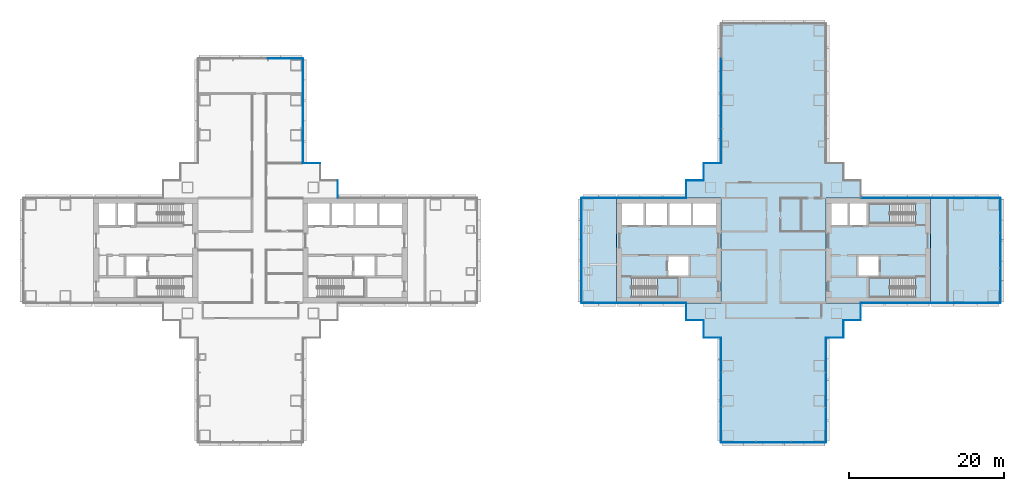
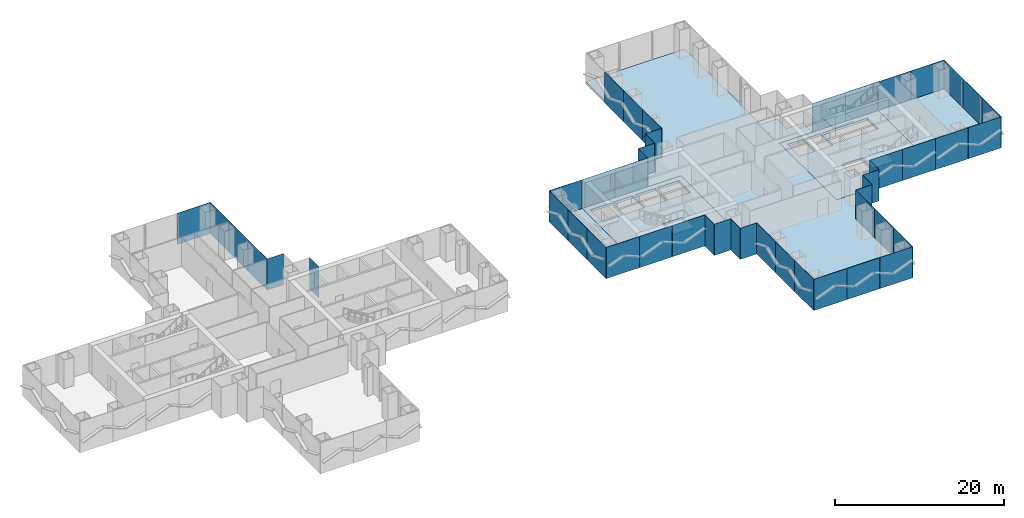
# One storey, part 12 of 22: 50 plates, 8 slabs, 23 elements without a shape of their own.
"""IFC4 building model written with IfcOpenShell, lengths in metres."""

from ifc_helpers import new_model, si_unit, direction, frame, origin, origin_2d, place, context, subcontext, project, spatial, polyline, rectangle, outline, extrude, material, layer, layer_set, type_object, element, aggregate, save


model = new_model("IFC4")

# Units and contexts
model_context = context("Model", 3, precision=1e-05, world=origin(), true_north=direction((0.0, 1.0)))
body_context = subcontext(model_context, "Body", "Model", "MODEL_VIEW")
ifc_project = project(units=[si_unit("LENGTHUNIT", "METRE"), si_unit("AREAUNIT", "SQUARE_METRE"), si_unit("VOLUMEUNIT", "CUBIC_METRE"), si_unit("PLANEANGLEUNIT", "RADIAN"), si_unit("MASSUNIT", "GRAM", prefix="KILO")], contexts=[model_context])

# Site, building, storey
site_placement = place(None, origin())
site = spatial("IfcSite", under=ifc_project, at=site_placement, CompositionType="ELEMENT")
building_placement = place(site_placement, origin())
building = spatial("IfcBuilding", under=site, at=building_placement, Name="Shamsa Quay Exchange Towers", CompositionType="ELEMENT")
storey_placement = place(building_placement, frame((0.0, 0.0, 33.0)))
storey = spatial("IfcBuildingStorey", under=building, at=storey_placement, Name="L06", CompositionType="ELEMENT", Elevation=33.0)

# Slabs
ifc_material_1 = material(Name="Concrete C50/60", Category="concrete")
ifc_layer_1 = layer(ifc_material_1, 0.35009765625)
ifc_layer_set_1 = layer_set([ifc_layer_1], Name="CORE FLOOR 350 C50/60")
slab_type_1 = type_object("IfcSlabType", Name="CORE FLOOR 350 C50/60", PredefinedType="FLOOR", material=ifc_layer_set_1)
slab_1_placement = place(storey_placement, frame((0.0, 0.0, -0.35009765625)))
element("IfcSlab", 1, at=slab_1_placement, inside=storey, type_object=slab_type_1, Name="Core floor T2A", PredefinedType="FLOOR", context=body_context, shape_type="SweptSolid", body=[
    extrude(outline(polyline([(13.5, -6.75), (27.0, -6.75), (27.0, 6.75), (13.5, 6.75), (13.5, -6.75)]), holes=[polyline([(15.400634765625, -6.050048828125), (15.400634765625, -3.5), (21.5, -3.5), (21.5, -6.050048828125), (15.400634765625, -6.050048828125)]), polyline([(14.199951171875, 3.25), (14.199951171875, 6.050048828125), (17.0, 6.050048828125), (17.0, 3.25), (14.199951171875, 3.25)]), polyline([(17.25, 3.25), (17.25, 6.050048828125), (20.050048828125, 6.050048828125), (20.050048828125, 3.25), (17.25, 3.25)]), polyline([(20.300048828125, 3.25), (20.300048828125, 6.050048828125), (23.10009765625, 6.050048828125), (23.10009765625, 3.25), (20.300048828125, 3.25)]), polyline([(23.35009765625, 3.25), (23.35009765625, 6.050048828125), (26.300048828125, 6.050048828125), (26.300048828125, 3.25), (23.35009765625, 3.25)]), polyline([(20.14990234375, -3.25), (20.14990234375, -0.75), (22.800048828125, -0.75), (22.800048828125, -3.25), (20.14990234375, -3.25)])]), origin(), (0.0, 0.0, 1.0), 0.35009765625),
])
slab_2_placement = place(storey_placement, frame((0.0, 0.0, -0.35009765625)))
element("IfcSlab", 2, at=slab_2_placement, inside=storey, type_object=slab_type_1, Name="Core floor T2B", PredefinedType="FLOOR", context=body_context, shape_type="SweptSolid", body=[
    extrude(outline(polyline([(54.0, -6.75), (54.0, 6.75), (40.5, 6.75), (40.5, -6.75), (54.0, -6.75)]), holes=[polyline([(52.099365234375, -3.5), (52.099365234375, -6.050048828125), (46.0, -6.050048828125), (46.0, -3.5), (52.099365234375, -3.5)]), polyline([(52.099365234375, 6.050048828125), (52.099365234375, 3.5), (46.0, 3.5), (46.0, 6.050048828125), (52.099365234375, 6.050048828125)]), polyline([(45.75, 3.25), (43.60009765625, 3.25), (43.60009765625, 6.050048828125), (45.75, 6.050048828125), (45.75, 3.25)]), polyline([(43.35009765625, 3.25), (41.199951171875, 3.25), (41.199951171875, 6.050048828125), (43.35009765625, 6.050048828125), (43.35009765625, 3.25)]), polyline([(47.35009765625, -3.25), (44.699951171875, -3.25), (44.699951171875, -0.75), (47.35009765625, -0.75), (47.35009765625, -3.25)])]), origin(), (0.0, 0.0, 1.0), 0.35009765625),
])

# Stair, slab
ifc_material_2 = material(Name="Concrete C40/50", Category="concrete")
stair_type = type_object("IfcStairType", Name="EXIT STAIR 26 RISERS 173 MM", PredefinedType="HALF_TURN_STAIR", material=ifc_material_2)
stair_1_placement = place(storey_placement, origin())
stair_1 = element("IfcStair", 3, at=stair_1_placement, inside=storey, type_object=stair_type, Name="L06 Exit stair ST4", PredefinedType="HALF_TURN_STAIR")
ifc_layer_2 = layer(ifc_material_2, 0.199951171875)
ifc_layer_set_2 = layer_set([ifc_layer_2], Name="CORE STAIR LANDING")
slab_type_2 = type_object("IfcSlabType", Name="CORE STAIR LANDING", PredefinedType="LANDING", material=ifc_layer_set_2)
slab_3_placement = place(storey_placement, frame((0.0, 0.0, 2.050048828125)))
slab_3 = element("IfcSlab", 4, at=slab_3_placement, type_object=slab_type_2, Name="ST4 landing 1", PredefinedType="LANDING", context=body_context, shape_type="SweptSolid", body=[
    extrude(outline(polyline([(18.760009765625, -6.050048828125), (21.5, -6.050048828125), (21.5, -3.5), (18.760009765625, -3.5), (18.760009765625, -6.050048828125)])), origin(), (0.0, 0.0, 1.0), 0.199951171875),
])
aggregate(stair_1, [slab_3])

stair_2_placement = place(storey_placement, origin())
stair_2 = element("IfcStair", 5, at=stair_2_placement, inside=storey, type_object=stair_type, Name="L06 Exit stair ST5", PredefinedType="HALF_TURN_STAIR")
slab_4_placement = place(storey_placement, frame((0.0, 0.0, 2.050048828125)))
slab_4 = element("IfcSlab", 6, at=slab_4_placement, type_object=slab_type_2, Name="ST5 landing 1", PredefinedType="LANDING", context=body_context, shape_type="SweptSolid", body=[
    extrude(outline(polyline([(48.739990234375, -3.5), (46.0, -3.5), (46.0, -6.050048828125), (48.739990234375, -6.050048828125), (48.739990234375, -3.5)])), origin(), (0.0, 0.0, 1.0), 0.199951171875),
])
aggregate(stair_2, [slab_4])

stair_3_placement = place(storey_placement, origin())
stair_3 = element("IfcStair", 7, at=stair_3_placement, inside=storey, type_object=stair_type, Name="L06 Exit stair ST6", PredefinedType="HALF_TURN_STAIR")
slab_5_placement = place(storey_placement, frame((0.0, 0.0, 2.050048828125)))
slab_5 = element("IfcSlab", 8, at=slab_5_placement, type_object=slab_type_2, Name="ST6 landing 1", PredefinedType="LANDING", context=body_context, shape_type="SweptSolid", body=[
    extrude(outline(polyline([(48.739990234375, 6.050048828125), (46.0, 6.050048828125), (46.0, 3.5), (48.739990234375, 3.5), (48.739990234375, 6.050048828125)])), origin(), (0.0, 0.0, 1.0), 0.199951171875),
])
aggregate(stair_3, [slab_5])

# Curtain wall, plates
ifc_material_3 = material(Name="Aluminium EN AW-6063 T6, black anodised", Category="aluminium")
ifc_layer_3 = layer(ifc_material_3, 0.280029296875)
ifc_layer_set_3 = layer_set([ifc_layer_3], Name="CW-1 UNITISED VISION GLASS")
curtain_wall_type_1 = type_object("IfcCurtainWallType", Name="CW-1 UNITISED VISION GLASS", PredefinedType="NOTDEFINED", material=ifc_layer_set_3)
curtain_wall_1_placement = place(storey_placement, origin())
curtain_wall_1 = element("IfcCurtainWall", 9, at=curtain_wall_1_placement, inside=storey, type_object=curtain_wall_type_1, Name="CW1 T1-FLK-V+E L06", PredefinedType="NOTDEFINED")
ifc_material_4 = material(Name="Glass, laminated, dark tinted", Category="glass")
ifc_layer_4 = layer(ifc_material_4, 0.0400390625)
ifc_layer_set_4 = layer_set([ifc_layer_4], Name="CW-1 VISION GLASS 40")
plate_type_1 = type_object("IfcPlateType", Name="CW-1 VISION GLASS 40", PredefinedType="CURTAIN_PANEL", material=ifc_layer_set_4)
plate_1_placement = place(storey_placement, frame((-26.97998046875, 13.529052734375, -0.35009765625), z_axis=(0.0, 0.0, 1.0), x_axis=(0.0, 1.0, 0.0)))
plate_1 = element("IfcPlate", 10, at=plate_1_placement, type_object=plate_type_1, Name="CW1 glass panel", PredefinedType="CURTAIN_PANEL", context=body_context, shape_type="SweptSolid", body=[
    extrude(rectangle(XDim=4.482421875, YDim=0.0400390625, at=origin_2d()), origin(), (0.0, 0.0, 1.0), 4.5),
])
plate_2_placement = place(storey_placement, frame((-26.97998046875, 18.01904296875, -0.35009765625), z_axis=(0.0, 0.0, 1.0), x_axis=(0.0, 1.0, 0.0)))
plate_2 = element("IfcPlate", 11, at=plate_2_placement, type_object=plate_type_1, Name="CW1 glass panel", PredefinedType="CURTAIN_PANEL", context=body_context, shape_type="SweptSolid", body=[
    extrude(rectangle(XDim=4.477294921875, YDim=0.0400390625, at=origin_2d()), origin(), (0.0, 0.0, 1.0), 4.5),
])
plate_3_placement = place(storey_placement, frame((-26.97998046875, 22.5087890625, -0.35009765625), z_axis=(0.0, 0.0, 1.0), x_axis=(0.0, 1.0, 0.0)))
plate_3 = element("IfcPlate", 12, at=plate_3_placement, type_object=plate_type_1, Name="CW1 glass panel", PredefinedType="CURTAIN_PANEL", context=body_context, shape_type="SweptSolid", body=[
    extrude(rectangle(XDim=4.482421875, YDim=0.0400390625, at=origin_2d()), origin(), (0.0, 0.0, 1.0), 4.5),
])
aggregate(curtain_wall_1, [plate_1, plate_2, plate_3])

# Curtain wall, plate
curtain_wall_2_placement = place(storey_placement, origin())
curtain_wall_2 = element("IfcCurtainWall", 13, at=curtain_wall_2_placement, inside=storey, type_object=curtain_wall_type_1, Name="CW1 T1-END-V+ L06", PredefinedType="NOTDEFINED")
plate_4_placement = place(storey_placement, frame((-29.24755859375, 24.77001953125, -0.35009765625), z_axis=(0.0, 0.0, 1.0), x_axis=(-1.0, 0.0, 0.0)))
plate_4 = element("IfcPlate", 14, at=plate_4_placement, type_object=plate_type_1, Name="CW1 glass panel", PredefinedType="CURTAIN_PANEL", context=body_context, shape_type="SweptSolid", body=[
    extrude(rectangle(XDim=4.4951171875, YDim=0.0400390625, at=origin_2d()), origin(), (0.0, 0.0, 1.0), 4.5),
])
aggregate(curtain_wall_2, [plate_4])

# Curtain wall, plates
curtain_wall_3_placement = place(storey_placement, origin())
curtain_wall_3 = element("IfcCurtainWall", 15, at=curtain_wall_3_placement, inside=storey, type_object=curtain_wall_type_1, Name="CW1 T2-FLK-V-W L06", PredefinedType="NOTDEFINED")
plate_5_placement = place(storey_placement, frame((56.24755859375, -6.77001953125, -0.35009765625)))
plate_5 = element("IfcPlate", 16, at=plate_5_placement, type_object=plate_type_1, Name="CW1 glass panel", PredefinedType="CURTAIN_PANEL", context=body_context, shape_type="SweptSolid", body=[
    extrude(rectangle(XDim=4.4951171875, YDim=0.0400390625, at=origin_2d()), origin(), (0.0, 0.0, 1.0), 4.5),
])
plate_6_placement = place(storey_placement, frame((60.75244140625, -6.77001953125, -0.35009765625)))
plate_6 = element("IfcPlate", 17, at=plate_6_placement, type_object=plate_type_1, Name="CW1 glass panel", PredefinedType="CURTAIN_PANEL", context=body_context, shape_type="SweptSolid", body=[
    extrude(rectangle(XDim=4.4951171875, YDim=0.0400390625, at=origin_2d()), origin(), (0.0, 0.0, 1.0), 4.5),
])
aggregate(curtain_wall_3, [plate_5, plate_6])

curtain_wall_4_placement = place(storey_placement, origin())
curtain_wall_4 = element("IfcCurtainWall", 18, at=curtain_wall_4_placement, inside=storey, type_object=curtain_wall_type_1, Name="CW1 T2-END-V- L06", PredefinedType="NOTDEFINED")
plate_7_placement = place(storey_placement, frame((63.02001953125, -4.50244140625, -0.35009765625), z_axis=(0.0, 0.0, 1.0), x_axis=(0.0, 1.0, 0.0)))
plate_7 = element("IfcPlate", 19, at=plate_7_placement, type_object=plate_type_1, Name="CW1 glass panel", PredefinedType="CURTAIN_PANEL", context=body_context, shape_type="SweptSolid", body=[
    extrude(rectangle(XDim=4.4951171875, YDim=0.0400390625, at=origin_2d()), origin(), (0.0, 0.0, 1.0), 4.5),
])
plate_8_placement = place(storey_placement, frame((63.02001953125, 0.0, -0.35009765625), z_axis=(0.0, 0.0, 1.0), x_axis=(0.0, 1.0, 0.0)))
plate_8 = element("IfcPlate", 20, at=plate_8_placement, type_object=plate_type_1, Name="CW1 glass panel", PredefinedType="CURTAIN_PANEL", context=body_context, shape_type="SweptSolid", body=[
    extrude(rectangle(XDim=4.489990234375, YDim=0.0400390625, at=origin_2d()), origin(), (0.0, 0.0, 1.0), 4.5),
])
plate_9_placement = place(storey_placement, frame((63.02001953125, 4.50244140625, -0.35009765625), z_axis=(0.0, 0.0, 1.0), x_axis=(0.0, 1.0, 0.0)))
plate_9 = element("IfcPlate", 21, at=plate_9_placement, type_object=plate_type_1, Name="CW1 glass panel", PredefinedType="CURTAIN_PANEL", context=body_context, shape_type="SweptSolid", body=[
    extrude(rectangle(XDim=4.4951171875, YDim=0.0400390625, at=origin_2d()), origin(), (0.0, 0.0, 1.0), 4.5),
])
aggregate(curtain_wall_4, [plate_7, plate_8, plate_9])

curtain_wall_5_placement = place(storey_placement, origin())
curtain_wall_5 = element("IfcCurtainWall", 22, at=curtain_wall_5_placement, inside=storey, type_object=curtain_wall_type_1, Name="CW1 T2-FLK-V-E L06", PredefinedType="NOTDEFINED")
plate_10_placement = place(storey_placement, frame((60.75244140625, 6.77001953125, -0.35009765625), z_axis=(0.0, 0.0, 1.0), x_axis=(-1.0, 0.0, 0.0)))
plate_10 = element("IfcPlate", 23, at=plate_10_placement, type_object=plate_type_1, Name="CW1 glass panel", PredefinedType="CURTAIN_PANEL", context=body_context, shape_type="SweptSolid", body=[
    extrude(rectangle(XDim=4.4951171875, YDim=0.0400390625, at=origin_2d()), origin(), (0.0, 0.0, 1.0), 4.5),
])
plate_11_placement = place(storey_placement, frame((56.24755859375, 6.77001953125, -0.35009765625), z_axis=(0.0, 0.0, 1.0), x_axis=(-1.0, 0.0, 0.0)))
plate_11 = element("IfcPlate", 24, at=plate_11_placement, type_object=plate_type_1, Name="CW1 glass panel", PredefinedType="CURTAIN_PANEL", context=body_context, shape_type="SweptSolid", body=[
    extrude(rectangle(XDim=4.4951171875, YDim=0.0400390625, at=origin_2d()), origin(), (0.0, 0.0, 1.0), 4.5),
])
aggregate(curtain_wall_5, [plate_10, plate_11])

curtain_wall_6_placement = place(storey_placement, origin())
curtain_wall_6 = element("IfcCurtainWall", 25, at=curtain_wall_6_placement, inside=storey, type_object=curtain_wall_type_1, Name="CW1 T2-FLK-U+N L06", PredefinedType="NOTDEFINED")
plate_12_placement = place(storey_placement, frame((26.97998046875, 22.5, -0.35009765625), z_axis=(0.0, 0.0, 1.0), x_axis=(0.0, -1.0, 0.0)))
plate_12 = element("IfcPlate", 26, at=plate_12_placement, type_object=plate_type_1, Name="CW1 glass panel", PredefinedType="CURTAIN_PANEL", context=body_context, shape_type="SweptSolid", body=[
    extrude(rectangle(XDim=4.489990234375, YDim=0.0400390625, at=origin_2d()), origin(), (0.0, 0.0, 1.0), 4.5),
])
plate_13_placement = place(storey_placement, frame((26.97998046875, 18.0, -0.35009765625), z_axis=(0.0, 0.0, 1.0), x_axis=(0.0, -1.0, 0.0)))
plate_13 = element("IfcPlate", 27, at=plate_13_placement, type_object=plate_type_1, Name="CW1 glass panel", PredefinedType="CURTAIN_PANEL", context=body_context, shape_type="SweptSolid", body=[
    extrude(rectangle(XDim=4.489990234375, YDim=0.0400390625, at=origin_2d()), origin(), (0.0, 0.0, 1.0), 4.5),
])
plate_14_placement = place(storey_placement, frame((26.97998046875, 13.49755859375, -0.35009765625), z_axis=(0.0, 0.0, 1.0), x_axis=(0.0, -1.0, 0.0)))
plate_14 = element("IfcPlate", 28, at=plate_14_placement, type_object=plate_type_1, Name="CW1 glass panel", PredefinedType="CURTAIN_PANEL", context=body_context, shape_type="SweptSolid", body=[
    extrude(rectangle(XDim=4.4951171875, YDim=0.0400390625, at=origin_2d()), origin(), (0.0, 0.0, 1.0), 4.5),
])
aggregate(curtain_wall_6, [plate_12, plate_13, plate_14])

# Curtain wall, plate
curtain_wall_7_placement = place(storey_placement, origin())
curtain_wall_7 = element("IfcCurtainWall", 29, at=curtain_wall_7_placement, inside=storey, type_object=curtain_wall_type_1, Name="CW1 T2-FLK-V+E L06", PredefinedType="NOTDEFINED")
plate_15_placement = place(storey_placement, frame((11.25, 6.77001953125, -0.35009765625), z_axis=(0.0, 0.0, 1.0), x_axis=(-1.0, 0.0, 0.0)))
plate_15 = element("IfcPlate", 30, at=plate_15_placement, type_object=plate_type_1, Name="CW1 glass panel", PredefinedType="CURTAIN_PANEL", context=body_context, shape_type="SweptSolid", body=[
    extrude(rectangle(XDim=4.5, YDim=0.0400390625, at=origin_2d()), origin(), (0.0, 0.0, 1.0), 4.5),
])
aggregate(curtain_wall_7, [plate_15])

# Curtain wall, plates
curtain_wall_8_placement = place(storey_placement, origin())
curtain_wall_8 = element("IfcCurtainWall", 31, at=curtain_wall_8_placement, inside=storey, type_object=curtain_wall_type_1, Name="CW1 T2-END-V+ L06", PredefinedType="NOTDEFINED")
plate_16_placement = place(storey_placement, frame((8.97998046875, 4.50244140625, -0.35009765625), z_axis=(0.0, 0.0, 1.0), x_axis=(0.0, -1.0, 0.0)))
plate_16 = element("IfcPlate", 32, at=plate_16_placement, type_object=plate_type_1, Name="CW1 glass panel", PredefinedType="CURTAIN_PANEL", context=body_context, shape_type="SweptSolid", body=[
    extrude(rectangle(XDim=4.4951171875, YDim=0.0400390625, at=origin_2d()), origin(), (0.0, 0.0, 1.0), 4.5),
])
plate_17_placement = place(storey_placement, frame((8.97998046875, 0.0, -0.35009765625), z_axis=(0.0, 0.0, 1.0), x_axis=(0.0, -1.0, 0.0)))
plate_17 = element("IfcPlate", 33, at=plate_17_placement, type_object=plate_type_1, Name="CW1 glass panel", PredefinedType="CURTAIN_PANEL", context=body_context, shape_type="SweptSolid", body=[
    extrude(rectangle(XDim=4.489990234375, YDim=0.0400390625, at=origin_2d()), origin(), (0.0, 0.0, 1.0), 4.5),
])
plate_18_placement = place(storey_placement, frame((8.97998046875, -4.50244140625, -0.35009765625), z_axis=(0.0, 0.0, 1.0), x_axis=(0.0, -1.0, 0.0)))
plate_18 = element("IfcPlate", 34, at=plate_18_placement, type_object=plate_type_1, Name="CW1 glass panel", PredefinedType="CURTAIN_PANEL", context=body_context, shape_type="SweptSolid", body=[
    extrude(rectangle(XDim=4.4951171875, YDim=0.0400390625, at=origin_2d()), origin(), (0.0, 0.0, 1.0), 4.5),
])
aggregate(curtain_wall_8, [plate_16, plate_17, plate_18])

# Curtain wall, plate
curtain_wall_9_placement = place(storey_placement, origin())
curtain_wall_9 = element("IfcCurtainWall", 35, at=curtain_wall_9_placement, inside=storey, type_object=curtain_wall_type_1, Name="CW1 T2-FLK-V+W L06", PredefinedType="NOTDEFINED")
plate_19_placement = place(storey_placement, frame((11.25, -6.77001953125, -0.35009765625)))
plate_19 = element("IfcPlate", 36, at=plate_19_placement, type_object=plate_type_1, Name="CW1 glass panel", PredefinedType="CURTAIN_PANEL", context=body_context, shape_type="SweptSolid", body=[
    extrude(rectangle(XDim=4.5, YDim=0.0400390625, at=origin_2d()), origin(), (0.0, 0.0, 1.0), 4.5),
])
aggregate(curtain_wall_9, [plate_19])

# Curtain wall, plates
curtain_wall_10_placement = place(storey_placement, origin())
curtain_wall_10 = element("IfcCurtainWall", 37, at=curtain_wall_10_placement, inside=storey, type_object=curtain_wall_type_1, Name="CW1 T2-FLK-U-N L06", PredefinedType="NOTDEFINED")
plate_20_placement = place(storey_placement, frame((26.97998046875, -13.529052734375, -0.35009765625), z_axis=(0.0, 0.0, 1.0), x_axis=(0.0, -1.0, 0.0)))
plate_20 = element("IfcPlate", 38, at=plate_20_placement, type_object=plate_type_1, Name="CW1 glass panel", PredefinedType="CURTAIN_PANEL", context=body_context, shape_type="SweptSolid", body=[
    extrude(rectangle(XDim=4.482421875, YDim=0.0400390625, at=origin_2d()), origin(), (0.0, 0.0, 1.0), 4.5),
])
plate_21_placement = place(storey_placement, frame((26.97998046875, -18.01904296875, -0.35009765625), z_axis=(0.0, 0.0, 1.0), x_axis=(0.0, -1.0, 0.0)))
plate_21 = element("IfcPlate", 39, at=plate_21_placement, type_object=plate_type_1, Name="CW1 glass panel", PredefinedType="CURTAIN_PANEL", context=body_context, shape_type="SweptSolid", body=[
    extrude(rectangle(XDim=4.477294921875, YDim=0.0400390625, at=origin_2d()), origin(), (0.0, 0.0, 1.0), 4.5),
])
plate_22_placement = place(storey_placement, frame((26.97998046875, -22.5087890625, -0.35009765625), z_axis=(0.0, 0.0, 1.0), x_axis=(0.0, -1.0, 0.0)))
plate_22 = element("IfcPlate", 40, at=plate_22_placement, type_object=plate_type_1, Name="CW1 glass panel", PredefinedType="CURTAIN_PANEL", context=body_context, shape_type="SweptSolid", body=[
    extrude(rectangle(XDim=4.482421875, YDim=0.0400390625, at=origin_2d()), origin(), (0.0, 0.0, 1.0), 4.5),
])
aggregate(curtain_wall_10, [plate_20, plate_21, plate_22])

curtain_wall_11_placement = place(storey_placement, origin())
curtain_wall_11 = element("IfcCurtainWall", 41, at=curtain_wall_11_placement, inside=storey, type_object=curtain_wall_type_1, Name="CW1 T2-END-U- L06", PredefinedType="NOTDEFINED")
plate_23_placement = place(storey_placement, frame((29.24755859375, -24.77001953125, -0.35009765625)))
plate_23 = element("IfcPlate", 42, at=plate_23_placement, type_object=plate_type_1, Name="CW1 glass panel", PredefinedType="CURTAIN_PANEL", context=body_context, shape_type="SweptSolid", body=[
    extrude(rectangle(XDim=4.4951171875, YDim=0.0400390625, at=origin_2d()), origin(), (0.0, 0.0, 1.0), 4.5),
])
plate_24_placement = place(storey_placement, frame((33.75, -24.77001953125, -0.35009765625)))
plate_24 = element("IfcPlate", 43, at=plate_24_placement, type_object=plate_type_1, Name="CW1 glass panel", PredefinedType="CURTAIN_PANEL", context=body_context, shape_type="SweptSolid", body=[
    extrude(rectangle(XDim=4.489990234375, YDim=0.0400390625, at=origin_2d()), origin(), (0.0, 0.0, 1.0), 4.5),
])
plate_25_placement = place(storey_placement, frame((38.25244140625, -24.77001953125, -0.35009765625)))
plate_25 = element("IfcPlate", 44, at=plate_25_placement, type_object=plate_type_1, Name="CW1 glass panel", PredefinedType="CURTAIN_PANEL", context=body_context, shape_type="SweptSolid", body=[
    extrude(rectangle(XDim=4.4951171875, YDim=0.0400390625, at=origin_2d()), origin(), (0.0, 0.0, 1.0), 4.5),
])
aggregate(curtain_wall_11, [plate_23, plate_24, plate_25])

curtain_wall_12_placement = place(storey_placement, origin())
curtain_wall_12 = element("IfcCurtainWall", 45, at=curtain_wall_12_placement, inside=storey, type_object=curtain_wall_type_1, Name="CW1 T2-FLK-U-S L06", PredefinedType="NOTDEFINED")
plate_26_placement = place(storey_placement, frame((40.52001953125, -22.50244140625, -0.35009765625), z_axis=(0.0, 0.0, 1.0), x_axis=(0.0, 1.0, 0.0)))
plate_26 = element("IfcPlate", 46, at=plate_26_placement, type_object=plate_type_1, Name="CW1 glass panel", PredefinedType="CURTAIN_PANEL", context=body_context, shape_type="SweptSolid", body=[
    extrude(rectangle(XDim=4.4951171875, YDim=0.0400390625, at=origin_2d()), origin(), (0.0, 0.0, 1.0), 4.5),
])
plate_27_placement = place(storey_placement, frame((40.52001953125, -18.0, -0.35009765625), z_axis=(0.0, 0.0, 1.0), x_axis=(0.0, 1.0, 0.0)))
plate_27 = element("IfcPlate", 47, at=plate_27_placement, type_object=plate_type_1, Name="CW1 glass panel", PredefinedType="CURTAIN_PANEL", context=body_context, shape_type="SweptSolid", body=[
    extrude(rectangle(XDim=4.489990234375, YDim=0.0400390625, at=origin_2d()), origin(), (0.0, 0.0, 1.0), 4.5),
])
plate_28_placement = place(storey_placement, frame((40.52001953125, -13.49755859375, -0.35009765625), z_axis=(0.0, 0.0, 1.0), x_axis=(0.0, 1.0, 0.0)))
plate_28 = element("IfcPlate", 48, at=plate_28_placement, type_object=plate_type_1, Name="CW1 glass panel", PredefinedType="CURTAIN_PANEL", context=body_context, shape_type="SweptSolid", body=[
    extrude(rectangle(XDim=4.4951171875, YDim=0.0400390625, at=origin_2d()), origin(), (0.0, 0.0, 1.0), 4.5),
])
aggregate(curtain_wall_12, [plate_26, plate_27, plate_28])

ifc_layer_5 = layer(ifc_material_3, 0.303955078125)
ifc_layer_set_5 = layer_set([ifc_layer_5], Name="CW-2 UNITISED OPAQUE SPANDREL GLASS")
curtain_wall_type_2 = type_object("IfcCurtainWallType", Name="CW-2 UNITISED OPAQUE SPANDREL GLASS", PredefinedType="NOTDEFINED", material=ifc_layer_set_5)
curtain_wall_13_placement = place(storey_placement, origin())
curtain_wall_13 = element("IfcCurtainWall", 49, at=curtain_wall_13_placement, inside=storey, type_object=curtain_wall_type_2, Name="CW2 T2-FLK-V-W L06", PredefinedType="NOTDEFINED")
ifc_material_5 = material(Name="Glass, laminated, black enamelled opaque", Category="glass")
ifc_layer_6 = layer(ifc_material_5, 0.0439453125)
ifc_layer_set_6 = layer_set([ifc_layer_6], Name="CW-2 SPANDREL GLASS 44")
plate_type_2 = type_object("IfcPlateType", Name="CW-2 SPANDREL GLASS 44", PredefinedType="CURTAIN_PANEL", material=ifc_layer_set_6)
plate_29_placement = place(storey_placement, frame((47.27587890625, -6.77197265625, -0.35009765625)))
plate_29 = element("IfcPlate", 50, at=plate_29_placement, type_object=plate_type_2, Name="CW2 glass panel", PredefinedType="CURTAIN_PANEL", context=body_context, shape_type="SweptSolid", body=[
    extrude(rectangle(XDim=4.47607421875, YDim=0.0439453125, at=origin_2d()), origin(), (0.0, 0.0, 1.0), 4.5),
])
plate_30_placement = place(storey_placement, frame((51.761962890625, -6.77197265625, -0.35009765625)))
plate_30 = element("IfcPlate", 51, at=plate_30_placement, type_object=plate_type_2, Name="CW2 glass panel", PredefinedType="CURTAIN_PANEL", context=body_context, shape_type="SweptSolid", body=[
    extrude(rectangle(XDim=4.47607421875, YDim=0.0439453125, at=origin_2d()), origin(), (0.0, 0.0, 1.0), 4.5),
])
aggregate(curtain_wall_13, [plate_29, plate_30])

curtain_wall_14_placement = place(storey_placement, origin())
curtain_wall_14 = element("IfcCurtainWall", 52, at=curtain_wall_14_placement, inside=storey, type_object=curtain_wall_type_2, Name="CW2 T2-FLK-V-E L06", PredefinedType="NOTDEFINED")
plate_31_placement = place(storey_placement, frame((51.75244140625, 6.77197265625, -0.35009765625), z_axis=(0.0, 0.0, 1.0), x_axis=(-1.0, 0.0, 0.0)))
plate_31 = element("IfcPlate", 53, at=plate_31_placement, type_object=plate_type_2, Name="CW2 glass panel", PredefinedType="CURTAIN_PANEL", context=body_context, shape_type="SweptSolid", body=[
    extrude(rectangle(XDim=4.4951171875, YDim=0.0439453125, at=origin_2d()), origin(), (0.0, 0.0, 1.0), 4.5),
])
plate_32_placement = place(storey_placement, frame((47.24755859375, 6.77197265625, -0.35009765625), z_axis=(0.0, 0.0, 1.0), x_axis=(-1.0, 0.0, 0.0)))
plate_32 = element("IfcPlate", 54, at=plate_32_placement, type_object=plate_type_2, Name="CW2 glass panel", PredefinedType="CURTAIN_PANEL", context=body_context, shape_type="SweptSolid", body=[
    extrude(rectangle(XDim=4.4951171875, YDim=0.0439453125, at=origin_2d()), origin(), (0.0, 0.0, 1.0), 4.5),
])
aggregate(curtain_wall_14, [plate_31, plate_32])

curtain_wall_15_placement = place(storey_placement, origin())
curtain_wall_15 = element("IfcCurtainWall", 55, at=curtain_wall_15_placement, inside=storey, type_object=curtain_wall_type_2, Name="CW2 T2-FLK-V+E L06", PredefinedType="NOTDEFINED")
plate_33_placement = place(storey_placement, frame((20.22412109375, 6.77197265625, -0.35009765625), z_axis=(0.0, 0.0, 1.0), x_axis=(-1.0, 0.0, 0.0)))
plate_33 = element("IfcPlate", 56, at=plate_33_placement, type_object=plate_type_2, Name="CW2 glass panel", PredefinedType="CURTAIN_PANEL", context=body_context, shape_type="SweptSolid", body=[
    extrude(rectangle(XDim=4.47607421875, YDim=0.0439453125, at=origin_2d()), origin(), (0.0, 0.0, 1.0), 4.5),
])
plate_34_placement = place(storey_placement, frame((15.738037109375, 6.77197265625, -0.35009765625), z_axis=(0.0, 0.0, 1.0), x_axis=(-1.0, 0.0, 0.0)))
plate_34 = element("IfcPlate", 57, at=plate_34_placement, type_object=plate_type_2, Name="CW2 glass panel", PredefinedType="CURTAIN_PANEL", context=body_context, shape_type="SweptSolid", body=[
    extrude(rectangle(XDim=4.47607421875, YDim=0.0439453125, at=origin_2d()), origin(), (0.0, 0.0, 1.0), 4.5),
])
aggregate(curtain_wall_15, [plate_33, plate_34])

curtain_wall_16_placement = place(storey_placement, origin())
curtain_wall_16 = element("IfcCurtainWall", 58, at=curtain_wall_16_placement, inside=storey, type_object=curtain_wall_type_2, Name="CW2 T2-FLK-V+W L06", PredefinedType="NOTDEFINED")
plate_35_placement = place(storey_placement, frame((15.74755859375, -6.77197265625, -0.35009765625)))
plate_35 = element("IfcPlate", 59, at=plate_35_placement, type_object=plate_type_2, Name="CW2 glass panel", PredefinedType="CURTAIN_PANEL", context=body_context, shape_type="SweptSolid", body=[
    extrude(rectangle(XDim=4.4951171875, YDim=0.0439453125, at=origin_2d()), origin(), (0.0, 0.0, 1.0), 4.5),
])
plate_36_placement = place(storey_placement, frame((20.25244140625, -6.77197265625, -0.35009765625)))
plate_36 = element("IfcPlate", 60, at=plate_36_placement, type_object=plate_type_2, Name="CW2 glass panel", PredefinedType="CURTAIN_PANEL", context=body_context, shape_type="SweptSolid", body=[
    extrude(rectangle(XDim=4.4951171875, YDim=0.0439453125, at=origin_2d()), origin(), (0.0, 0.0, 1.0), 4.5),
])
aggregate(curtain_wall_16, [plate_35, plate_36])

ifc_layer_7 = layer(ifc_material_3, 0.256103515625)
ifc_layer_set_7 = layer_set([ifc_layer_7], Name="CW-4 POCKET SERRATED GLAZING")
curtain_wall_type_3 = type_object("IfcCurtainWallType", Name="CW-4 POCKET SERRATED GLAZING", PredefinedType="NOTDEFINED", material=ifc_layer_set_7)
curtain_wall_17_placement = place(storey_placement, origin())
curtain_wall_17 = element("IfcCurtainWall", 61, at=curtain_wall_17_placement, inside=storey, type_object=curtain_wall_type_3, Name="CW4 PKEN L06", PredefinedType="NOTDEFINED")
ifc_layer_8 = layer(ifc_material_4, 0.035888671875)
ifc_layer_set_8 = layer_set([ifc_layer_8], Name="CW-4 POCKET GLASS 36")
plate_type_3 = type_object("IfcPlateType", Name="CW-4 POCKET GLASS 36", PredefinedType="CURTAIN_PANEL", material=ifc_layer_set_8)
plate_37_placement = place(storey_placement, frame((-22.48193359375, 7.89794921875, -0.35009765625), z_axis=(0.0, 0.0, 1.0), x_axis=(0.0, 1.0, 0.0)))
plate_37 = element("IfcPlate", 62, at=plate_37_placement, type_object=plate_type_3, Name="CW4 glass panel", PredefinedType="CURTAIN_PANEL", context=body_context, shape_type="SweptSolid", body=[
    extrude(rectangle(XDim=2.2041015625, YDim=0.035888671875, at=origin_2d()), origin(), (0.0, 0.0, 1.0), 4.5),
])
plate_38_placement = place(storey_placement, frame((-25.875, 11.26806640625, -0.35009765625), z_axis=(0.0, 0.0, 1.0), x_axis=(-1.0, 0.0, 0.0)))
plate_38 = element("IfcPlate", 63, at=plate_38_placement, type_object=plate_type_3, Name="CW4 glass panel", PredefinedType="CURTAIN_PANEL", context=body_context, shape_type="SweptSolid", body=[
    extrude(rectangle(XDim=2.25, YDim=0.035888671875, at=origin_2d()), origin(), (0.0, 0.0, 1.0), 4.5),
])
aggregate(curtain_wall_17, [plate_37, plate_38])

curtain_wall_18_placement = place(storey_placement, origin())
curtain_wall_18 = element("IfcCurtainWall", 64, at=curtain_wall_18_placement, inside=storey, type_object=curtain_wall_type_3, Name="CW4 PKWS L06", PredefinedType="NOTDEFINED")
plate_39_placement = place(storey_placement, frame((43.89404296875, -9.01806640625, -0.35009765625)))
plate_39 = element("IfcPlate", 65, at=plate_39_placement, type_object=plate_type_3, Name="CW4 glass panel", PredefinedType="CURTAIN_PANEL", context=body_context, shape_type="SweptSolid", body=[
    extrude(rectangle(XDim=2.2119140625, YDim=0.035888671875, at=origin_2d()), origin(), (0.0, 0.0, 1.0), 4.5),
])
plate_40_placement = place(storey_placement, frame((45.01806640625, -7.875, -0.35009765625), z_axis=(0.0, 0.0, 1.0), x_axis=(0.0, 1.0, 0.0)))
plate_40 = element("IfcPlate", 66, at=plate_40_placement, type_object=plate_type_3, Name="CW4 glass panel", PredefinedType="CURTAIN_PANEL", context=body_context, shape_type="SweptSolid", body=[
    extrude(rectangle(XDim=2.25, YDim=0.035888671875, at=origin_2d()), origin(), (0.0, 0.0, 1.0), 4.5),
])
plate_41_placement = place(storey_placement, frame((41.64599609375, -11.26806640625, -0.35009765625)))
plate_41 = element("IfcPlate", 67, at=plate_41_placement, type_object=plate_type_3, Name="CW4 glass panel", PredefinedType="CURTAIN_PANEL", context=body_context, shape_type="SweptSolid", body=[
    extrude(rectangle(XDim=2.2080078125, YDim=0.035888671875, at=origin_2d()), origin(), (0.0, 0.0, 1.0), 4.5),
])
plate_42_placement = place(storey_placement, frame((42.76806640625, -10.125, -0.35009765625), z_axis=(0.0, 0.0, 1.0), x_axis=(0.0, 1.0, 0.0)))
plate_42 = element("IfcPlate", 68, at=plate_42_placement, type_object=plate_type_3, Name="CW4 glass panel", PredefinedType="CURTAIN_PANEL", context=body_context, shape_type="SweptSolid", body=[
    extrude(rectangle(XDim=2.25, YDim=0.035888671875, at=origin_2d()), origin(), (0.0, 0.0, 1.0), 4.5),
])
aggregate(curtain_wall_18, [plate_39, plate_40, plate_41, plate_42])

curtain_wall_19_placement = place(storey_placement, origin())
curtain_wall_19 = element("IfcCurtainWall", 69, at=curtain_wall_19_placement, inside=storey, type_object=curtain_wall_type_3, Name="CW4 PKEN L06", PredefinedType="NOTDEFINED")
plate_43_placement = place(storey_placement, frame((25.85400390625, 11.26806640625, -0.35009765625), z_axis=(0.0, 0.0, 1.0), x_axis=(-1.0, 0.0, 0.0)))
plate_43 = element("IfcPlate", 70, at=plate_43_placement, type_object=plate_type_3, Name="CW4 glass panel", PredefinedType="CURTAIN_PANEL", context=body_context, shape_type="SweptSolid", body=[
    extrude(rectangle(XDim=2.2080078125, YDim=0.035888671875, at=origin_2d()), origin(), (0.0, 0.0, 1.0), 4.5),
])
plate_44_placement = place(storey_placement, frame((24.73193359375, 10.125, -0.35009765625), z_axis=(0.0, 0.0, 1.0), x_axis=(0.0, -1.0, 0.0)))
plate_44 = element("IfcPlate", 71, at=plate_44_placement, type_object=plate_type_3, Name="CW4 glass panel", PredefinedType="CURTAIN_PANEL", context=body_context, shape_type="SweptSolid", body=[
    extrude(rectangle(XDim=2.25, YDim=0.035888671875, at=origin_2d()), origin(), (0.0, 0.0, 1.0), 4.5),
])
plate_45_placement = place(storey_placement, frame((23.60595703125, 9.01806640625, -0.35009765625), z_axis=(0.0, 0.0, 1.0), x_axis=(-1.0, 0.0, 0.0)))
plate_45 = element("IfcPlate", 72, at=plate_45_placement, type_object=plate_type_3, Name="CW4 glass panel", PredefinedType="CURTAIN_PANEL", context=body_context, shape_type="SweptSolid", body=[
    extrude(rectangle(XDim=2.2119140625, YDim=0.035888671875, at=origin_2d()), origin(), (0.0, 0.0, 1.0), 4.5),
])
plate_46_placement = place(storey_placement, frame((22.48193359375, 7.875, -0.35009765625), z_axis=(0.0, 0.0, 1.0), x_axis=(0.0, -1.0, 0.0)))
plate_46 = element("IfcPlate", 73, at=plate_46_placement, type_object=plate_type_3, Name="CW4 glass panel", PredefinedType="CURTAIN_PANEL", context=body_context, shape_type="SweptSolid", body=[
    extrude(rectangle(XDim=2.25, YDim=0.035888671875, at=origin_2d()), origin(), (0.0, 0.0, 1.0), 4.5),
])
aggregate(curtain_wall_19, [plate_43, plate_44, plate_45, plate_46])

curtain_wall_20_placement = place(storey_placement, origin())
curtain_wall_20 = element("IfcCurtainWall", 74, at=curtain_wall_20_placement, inside=storey, type_object=curtain_wall_type_3, Name="CW4 PKWN L06", PredefinedType="NOTDEFINED")
plate_47_placement = place(storey_placement, frame((22.48193359375, -7.89794921875, -0.35009765625), z_axis=(0.0, 0.0, 1.0), x_axis=(0.0, -1.0, 0.0)))
plate_47 = element("IfcPlate", 75, at=plate_47_placement, type_object=plate_type_3, Name="CW4 glass panel", PredefinedType="CURTAIN_PANEL", context=body_context, shape_type="SweptSolid", body=[
    extrude(rectangle(XDim=2.2041015625, YDim=0.035888671875, at=origin_2d()), origin(), (0.0, 0.0, 1.0), 4.5),
])
plate_48_placement = place(storey_placement, frame((23.625, -9.01806640625, -0.35009765625)))
plate_48 = element("IfcPlate", 76, at=plate_48_placement, type_object=plate_type_3, Name="CW4 glass panel", PredefinedType="CURTAIN_PANEL", context=body_context, shape_type="SweptSolid", body=[
    extrude(rectangle(XDim=2.25, YDim=0.035888671875, at=origin_2d()), origin(), (0.0, 0.0, 1.0), 4.5),
])
plate_49_placement = place(storey_placement, frame((24.73193359375, -10.14404296875, -0.35009765625), z_axis=(0.0, 0.0, 1.0), x_axis=(0.0, -1.0, 0.0)))
plate_49 = element("IfcPlate", 77, at=plate_49_placement, type_object=plate_type_3, Name="CW4 glass panel", PredefinedType="CURTAIN_PANEL", context=body_context, shape_type="SweptSolid", body=[
    extrude(rectangle(XDim=2.2119140625, YDim=0.035888671875, at=origin_2d()), origin(), (0.0, 0.0, 1.0), 4.5),
])
plate_50_placement = place(storey_placement, frame((25.875, -11.26806640625, -0.35009765625)))
plate_50 = element("IfcPlate", 78, at=plate_50_placement, type_object=plate_type_3, Name="CW4 glass panel", PredefinedType="CURTAIN_PANEL", context=body_context, shape_type="SweptSolid", body=[
    extrude(rectangle(XDim=2.25, YDim=0.035888671875, at=origin_2d()), origin(), (0.0, 0.0, 1.0), 4.5),
])
aggregate(curtain_wall_20, [plate_47, plate_48, plate_49, plate_50])

# Slabs
ifc_layer_9 = layer(ifc_material_2, 0.35009765625)
ifc_layer_set_9 = layer_set([ifc_layer_9], Name="Flat slab 350")
slab_type_3 = type_object("IfcSlabType", Name="Flat slab 350", PredefinedType="FLOOR", material=ifc_layer_set_9)
slab_6_placement = place(storey_placement, frame((0.0, 0.0, -0.35009765625)))
element("IfcSlab", 79, at=slab_6_placement, inside=storey, type_object=slab_type_3, Name="Flat slab T2 L06 4", PredefinedType="FLOOR", context=body_context, shape_type="SweptSolid", body=[
    extrude(outline(polyline([(9.0, -6.75), (13.5, -6.75), (13.5, 6.75), (9.0, 6.75), (9.0, -6.75)])), origin(), (0.0, 0.0, 1.0), 0.35009765625),
])
slab_7_placement = place(storey_placement, frame((0.0, 0.0, -0.35009765625)))
element("IfcSlab", 80, at=slab_7_placement, inside=storey, type_object=slab_type_3, Name="Flat slab T2 L06 5", PredefinedType="FLOOR", context=body_context, shape_type="SweptSolid", body=[
    extrude(outline(polyline([(45.0, -9.0), (45.0, -6.75), (40.5, -6.75), (40.5, 6.75), (45.0, 6.75), (45.0, 9.0), (42.75, 9.0), (42.75, 11.25), (40.5, 11.25), (40.5, 29.25), (27.0, 29.25), (27.0, 11.25), (24.75, 11.25), (24.75, 9.0), (22.5, 9.0), (22.5, 6.75), (27.0, 6.75), (27.0, -6.75), (22.5, -6.75), (22.5, -9.0), (24.75, -9.0), (24.75, -11.25), (27.0, -11.25), (27.0, -24.75), (40.5, -24.75), (40.5, -11.25), (42.75, -11.25), (42.75, -9.0), (45.0, -9.0)])), origin(), (0.0, 0.0, 1.0), 0.35009765625),
])
slab_8_placement = place(storey_placement, frame((0.0, 0.0, -0.35009765625)))
element("IfcSlab", 81, at=slab_8_placement, inside=storey, type_object=slab_type_3, Name="Flat slab T2 L06 6", PredefinedType="FLOOR", context=body_context, shape_type="SweptSolid", body=[
    extrude(outline(polyline([(63.0, 6.75), (54.0, 6.75), (54.0, -6.75), (63.0, -6.75), (63.0, 6.75)])), origin(), (0.0, 0.0, 1.0), 0.35009765625),
])

save(model, "model.ifc")
